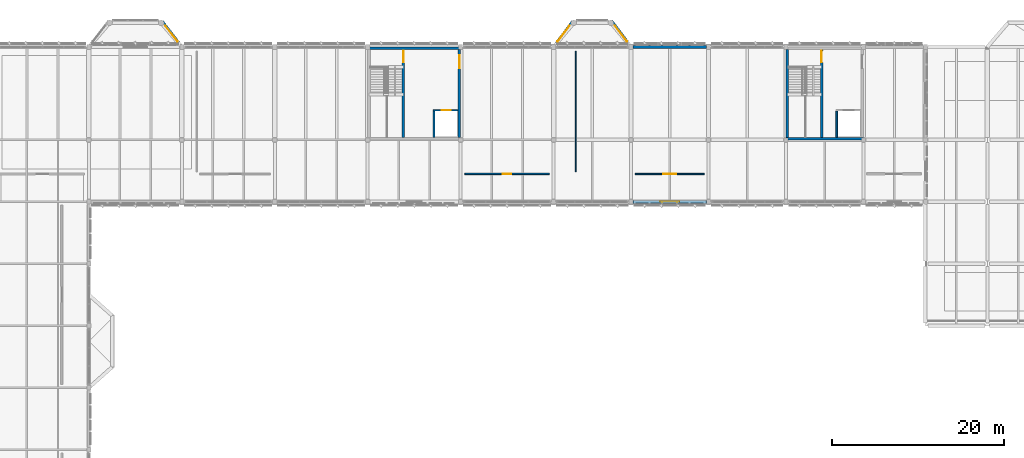
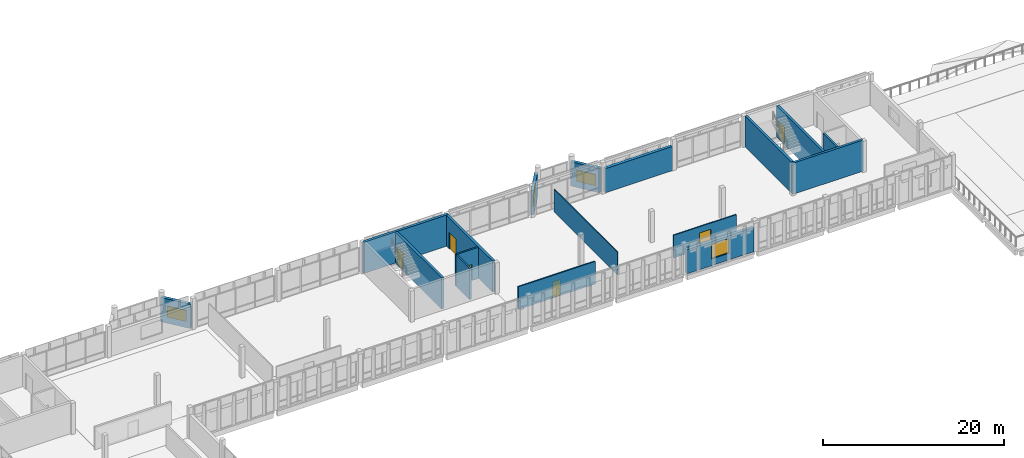
# One storey, part 58 of 72: 17 walls, 6 doors, 4 windows, 10 openings.
"""IFC4 building model written with IfcOpenShell, lengths in metres."""

from ifc_helpers import new_model, si_unit, direction, frame, frame_2d, origin, place, context, subcontext, project, spatial, rectangle, extrude, material, layer, layer_set, type_object, element, fill, save


model = new_model("IFC4")

# Units and contexts
model_context = context("Model", 3, precision=1e-05, world=origin(), true_north=direction((0.0, 1.0)))
body_context = subcontext(model_context, "Body", "Model", "MODEL_VIEW")
ifc_project = project(units=[si_unit("LENGTHUNIT", "METRE"), si_unit("AREAUNIT", "SQUARE_METRE"), si_unit("VOLUMEUNIT", "CUBIC_METRE"), si_unit("PLANEANGLEUNIT", "RADIAN"), si_unit("MASSUNIT", "GRAM", prefix="KILO")], contexts=[model_context])

# Site, building, storey
site_placement = place(None, origin())
site = spatial("IfcSite", under=ifc_project, at=site_placement, CompositionType="ELEMENT")
building_placement = place(site_placement, origin())
building = spatial("IfcBuilding", under=site, at=building_placement, Name="Lusvemor Sports Hall", CompositionType="ELEMENT")
storey_placement = place(building_placement, frame((0.0, 0.0, 15.0)))
storey = spatial("IfcBuildingStorey", under=building, at=storey_placement, Name="L03", CompositionType="ELEMENT", Elevation=15.0)

# Wall
ifc_material_1 = material(Name="Warm terracotta Art Nouveau ceramic cladding on Concrete C40/50 backing", Category="masonry")
ifc_layer_1 = layer(ifc_material_1, 0.3798828125)
ifc_layer_set_1 = layer_set([ifc_layer_1], Name="Warm terracotta Art Nouveau ceramic cladding on Concrete C40/50 backing")
wall_type_1 = type_object("IfcWallType", Name="EW_UPPER_250", PredefinedType="STANDARD", material=ifc_layer_set_1)
wall_1_placement = place(storey_placement, frame((84.8359375, 115.199951171875, 0.0), z_axis=(0.0, 0.0, 1.0), x_axis=(1.0, 0.0, 0.0)))
element("IfcWall", 1, at=wall_1_placement, inside=storey, type_object=wall_type_1, Name="Exterior Wall EW-L03-N-1-8", PredefinedType="STANDARD", context=body_context, shape_type="SweptSolid", body=[
    extrude(rectangle(XDim=8.528076171875, YDim=0.3798828125, at=frame_2d((4.26416015625, 0.0))), origin(), (0.0, 0.0, 1.0), 3.260009765625),
])

# Wall, opening, window
wall_2_placement = place(storey_placement, frame((93.364013671875, 97.199951171875, 0.0), z_axis=(0.0, 0.0, 1.0), x_axis=(-1.0, 0.0, 0.0)))
wall_2 = element("IfcWall", 2, at=wall_2_placement, inside=storey, type_object=wall_type_1, Name="Exterior Wall EW-L03-S-3-6", PredefinedType="STANDARD", context=body_context, shape_type="SweptSolid", body=[
    extrude(rectangle(XDim=8.528076171875, YDim=0.3798828125, at=frame_2d((4.26416015625, 0.0))), origin(), (0.0, 0.0, 1.0), 3.260009765625),
])
opening_1_placement = place(wall_2_placement, frame((3.154052734375, 0.0, 0.89990234375)))
opening_1 = element("IfcOpeningElement", 3, at=opening_1_placement, cuts=wall_2, Name="Opening WN28", PredefinedType="OPENING", context=body_context, shape_type="SweptSolid", body=[
    extrude(rectangle(XDim=2.219970703125, YDim=1.97998046875, at=frame_2d((1.10986328125, 0.989990234375))), frame((0.0, 0.18994140625, 0.0), z_axis=(0.0, -1.0, 0.0), x_axis=(1.0, 0.0, 0.0)), (0.0, 0.0, 1.0), 0.3798828125),
])
ifc_material_2 = material(Name="Solar-control laminated double glazing", Category="glass")
window_type_1 = type_object("IfcWindowType", Name="WIN_28", PartitioningType="SINGLE_PANEL", PredefinedType="WINDOW", material=ifc_material_2)
window_1_placement = place(opening_1_placement, origin())
window_1 = element("IfcWindow", 4, at=window_1_placement, inside=storey, type_object=window_type_1, Name="Wing Window L03-S-3-6", OverallHeight=1.97998046875, OverallWidth=2.219970703125, PartitioningType="SINGLE_PANEL", PredefinedType="WINDOW", context=body_context, shape_type="SweptSolid", body=[
    extrude(rectangle(XDim=2.219970703125, YDim=1.97998046875, at=frame_2d((1.10986328125, 0.989990234375))), frame((0.0, 0.030029296875, 0.0), z_axis=(0.0, -1.0, 0.0), x_axis=(1.0, 0.0, 0.0)), (0.0, 0.0, 1.0), 0.06005859375),
])
fill(opening_1, window_1)

ifc_material_3 = material(Name="Emerald polychrome glazed ceramic cladding on Concrete C40/50 backing", Category="concrete")
ifc_layer_2 = layer(ifc_material_3, 0.364990234375)
ifc_layer_set_2 = layer_set([ifc_layer_2], Name="Emerald polychrome glazed ceramic cladding on Concrete C40/50 backing")
wall_type_2 = type_object("IfcWallType", Name="EW_WAVE_CER_365", PredefinedType="STANDARD", material=ifc_layer_set_2)
wall_3_placement = place(storey_placement, frame((30.073486328125, 118.205078125, 0.0), z_axis=(0.0, 0.0, 1.0), x_axis=(0.612206385164, -0.790698009334, 0.0)))
wall_3 = element("IfcWall", 5, at=wall_3_placement, inside=storey, type_object=wall_type_2, Name="Art Nouveau Bow Wall EW-BOW-N1-L03-3", PredefinedType="STANDARD", context=body_context, shape_type="SweptSolid", body=[
    extrude(rectangle(XDim=3.560302734375, YDim=0.364990234375, at=frame_2d((1.7802734375, 0.0))), origin(), (0.0, 0.0, 1.0), 3.280029296875),
])
opening_2_placement = place(wall_3_placement, frame((0.679931640625, 0.0, 0.699951171875)))
opening_2 = element("IfcOpeningElement", 6, at=opening_2_placement, cuts=wall_3, Name="Opening WN21", PredefinedType="OPENING", context=body_context, shape_type="SweptSolid", body=[
    extrude(rectangle(XDim=2.320068359375, YDim=1.52001953125, at=frame_2d((1.16015625, 0.760009765625))), frame((0.0, 0.1826171875, 0.0), z_axis=(0.0, -1.0, 0.0), x_axis=(1.0, 0.0, 0.0)), (0.0, 0.0, 1.0), 0.364990234375),
])
ifc_material_4 = material(Name="Solar-control laminated double glazing", Category="glass")
window_type_2 = type_object("IfcWindowType", Name="WIN_21", PartitioningType="SINGLE_PANEL", PredefinedType="WINDOW", material=ifc_material_4)
window_2_placement = place(opening_2_placement, origin())
window_2 = element("IfcWindow", 7, at=window_2_placement, inside=storey, type_object=window_type_2, Name="Art Nouveau Bow Window BOW-N1 L03-3", OverallHeight=1.52001953125, OverallWidth=2.320068359375, PartitioningType="SINGLE_PANEL", PredefinedType="WINDOW", context=body_context, shape_type="SweptSolid", body=[
    extrude(rectangle(XDim=2.320068359375, YDim=1.52001953125, at=frame_2d((1.16015625, 0.760009765625))), frame((0.0, 0.030029296875, 0.0), z_axis=(0.0, -1.0, 0.0), x_axis=(1.0, 0.0, 0.0)), (0.0, 0.0, 1.0), 0.06005859375),
])
fill(opening_2, window_2)

wall_4_placement = place(storey_placement, frame((75.74462890625, 115.3916015625, 0.0), z_axis=(0.0, 0.0, 1.0), x_axis=(0.60248019286, 0.798133834148, 0.0)))
wall_4 = element("IfcWall", 8, at=wall_4_placement, inside=storey, type_object=wall_type_2, Name="Art Nouveau Bow Wall EW-BOW-N2-L03-1", PredefinedType="STANDARD", context=body_context, shape_type="SweptSolid", body=[
    extrude(rectangle(XDim=3.52392578125, YDim=0.364990234375, at=frame_2d((1.761962890625, 0.0))), origin(), (0.0, 0.0, 1.0), 3.280029296875),
])
opening_3_placement = place(wall_4_placement, frame((0.5419921875, 0.0, 0.699951171875)))
opening_3 = element("IfcOpeningElement", 9, at=opening_3_placement, cuts=wall_4, Name="Opening WN21", PredefinedType="OPENING", context=body_context, shape_type="SweptSolid", body=[
    extrude(rectangle(XDim=2.320068359375, YDim=1.52001953125, at=frame_2d((1.16015625, 0.760009765625))), frame((0.0, 0.1826171875, 0.0), z_axis=(0.0, -1.0, 0.0), x_axis=(1.0, 0.0, 0.0)), (0.0, 0.0, 1.0), 0.364990234375),
])
window_3_placement = place(opening_3_placement, origin())
window_3 = element("IfcWindow", 10, at=window_3_placement, inside=storey, type_object=window_type_2, Name="Art Nouveau Bow Window BOW-N2 L03-1", OverallHeight=1.52001953125, OverallWidth=2.320068359375, PartitioningType="SINGLE_PANEL", PredefinedType="WINDOW", context=body_context, shape_type="SweptSolid", body=[
    extrude(rectangle(XDim=2.320068359375, YDim=1.52001953125, at=frame_2d((1.16015625, 0.760009765625))), frame((0.0, 0.030029296875, 0.0), z_axis=(0.0, -1.0, 0.0), x_axis=(1.0, 0.0, 0.0)), (0.0, 0.0, 1.0), 0.06005859375),
])
fill(opening_3, window_3)

wall_5_placement = place(storey_placement, frame((82.332275390625, 118.2041015625, 0.0), z_axis=(0.0, 0.0, 1.0), x_axis=(0.60248019286, -0.798133834148, 0.0)))
wall_5 = element("IfcWall", 11, at=wall_5_placement, inside=storey, type_object=wall_type_2, Name="Art Nouveau Bow Wall EW-BOW-N2-L03-3", PredefinedType="STANDARD", context=body_context, shape_type="SweptSolid", body=[
    extrude(rectangle(XDim=3.52392578125, YDim=0.364990234375, at=frame_2d((1.761962890625, 0.0))), origin(), (0.0, 0.0, 1.0), 3.280029296875),
])
opening_4_placement = place(wall_5_placement, frame((0.662109375, 0.0, 0.699951171875)))
opening_4 = element("IfcOpeningElement", 12, at=opening_4_placement, cuts=wall_5, Name="Opening WN21", PredefinedType="OPENING", context=body_context, shape_type="SweptSolid", body=[
    extrude(rectangle(XDim=2.320068359375, YDim=1.52001953125, at=frame_2d((1.16015625, 0.760009765625))), frame((0.0, 0.1826171875, 0.0), z_axis=(0.0, -1.0, 0.0), x_axis=(1.0, 0.0, 0.0)), (0.0, 0.0, 1.0), 0.364990234375),
])
window_4_placement = place(opening_4_placement, origin())
window_4 = element("IfcWindow", 13, at=window_4_placement, inside=storey, type_object=window_type_2, Name="Art Nouveau Bow Window BOW-N2 L03-3", OverallHeight=1.52001953125, OverallWidth=2.320068359375, PartitioningType="SINGLE_PANEL", PredefinedType="WINDOW", context=body_context, shape_type="SweptSolid", body=[
    extrude(rectangle(XDim=2.320068359375, YDim=1.52001953125, at=frame_2d((1.16015625, 0.760009765625))), frame((0.0, 0.030029296875, 0.0), z_axis=(0.0, -1.0, 0.0), x_axis=(1.0, 0.0, 0.0)), (0.0, 0.0, 1.0), 0.06005859375),
])
fill(opening_4, window_4)

# Wall
ifc_material_5 = material(Name="Double-leaf acoustic gypsum board on metal studs")
ifc_layer_3 = layer(ifc_material_5, 0.1201171875)
ifc_layer_set_3 = layer_set([ifc_layer_3], Name="Double-leaf acoustic gypsum board on metal studs")
wall_type_3 = type_object("IfcWallType", Name="IW_PART_124", PredefinedType="STANDARD", material=ifc_layer_set_3)
wall_6_placement = place(storey_placement, frame((78.14990234375, 100.699951171875, 0.0), z_axis=(0.0, 0.0, 1.0), x_axis=(0.0, 1.0, 0.0)))
element("IfcWall", 14, at=wall_6_placement, inside=storey, type_object=wall_type_3, Name="Partition IW-L03-CNNDIV-78", PredefinedType="STANDARD", context=body_context, shape_type="SweptSolid", body=[
    extrude(rectangle(XDim=14.0, YDim=0.1201171875, at=frame_2d((7.0, 0.0))), origin(), (0.0, 0.0, 1.0), 3.06005859375),
])

# Wall, opening, door
ifc_material_6 = material(Name="Double-leaf acoustic gypsum board on metal studs")
ifc_layer_4 = layer(ifc_material_6, 0.139892578125)
ifc_layer_set_4 = layer_set([ifc_layer_4], Name="Double-leaf acoustic gypsum board on metal studs")
wall_type_4 = type_object("IfcWallType", Name="IW_PART_138", PredefinedType="STANDARD", material=ifc_layer_set_4)
wall_7_placement = place(storey_placement, frame((85.10009765625, 100.449951171875, 0.0), z_axis=(0.0, 0.0, 1.0), x_axis=(1.0, 0.0, 0.0)))
wall_7 = element("IfcWall", 15, at=wall_7_placement, inside=storey, type_object=wall_type_4, Name="Partition IW-L03-CNN-LNGETRK", PredefinedType="STANDARD", context=body_context, shape_type="SweptSolid", body=[
    extrude(rectangle(XDim=8.0, YDim=0.139892578125, at=frame_2d((4.0, 0.0))), origin(), (0.0, 0.0, 1.0), 3.06005859375),
])
opening_5_placement = place(wall_7_placement, frame((3.260009765625, 0.0, 0.0)))
opening_5 = element("IfcOpeningElement", 16, at=opening_5_placement, cuts=wall_7, Name="Opening ID23", PredefinedType="OPENING", context=body_context, shape_type="SweptSolid", body=[
    extrude(rectangle(XDim=1.47998046875, YDim=2.219970703125, at=frame_2d((0.739990234375, 1.10986328125))), frame((0.0, 0.06982421875, 0.0), z_axis=(0.0, -1.0, 0.0), x_axis=(1.0, 0.0, 0.0)), (0.0, 0.0, 1.0), 0.139892578125),
])
ifc_material_7 = material(Name="Acoustic solid-core hardwood door leaf in steel frame", Category="steel")
door_type_1 = type_object("IfcDoorType", Name="IDR_LNGE_148", OperationType="NOTDEFINED", PredefinedType="DOOR", material=ifc_material_7)
door_1_placement = place(opening_5_placement, origin())
door_1 = element("IfcDoor", 17, at=door_1_placement, inside=storey, type_object=door_type_1, Name="DR-203", OperationType="SINGLE_SWING_LEFT", OverallHeight=2.219970703125, OverallWidth=1.47998046875, PredefinedType="DOOR", context=body_context, shape_type="SweptSolid", body=[
    extrude(rectangle(XDim=1.47998046875, YDim=2.219970703125, at=frame_2d((0.739990234375, 1.10986328125))), frame((0.0, 0.02490234375, 0.0), z_axis=(0.0, -1.0, 0.0), x_axis=(1.0, 0.0, 0.0)), (0.0, 0.0, 1.0), 0.050048828125),
])
fill(opening_5, door_1)

ifc_material_8 = material(Name="Concrete C40/50", Category="concrete")
ifc_layer_5 = layer(ifc_material_8, 0.2099609375)
ifc_layer_set_5 = layer_set([ifc_layer_5], Name="Concrete C40/50")
wall_type_5 = type_object("IfcWallType", Name="IW_SHFT_212", PredefinedType="STANDARD", material=ifc_layer_set_5)
wall_8_placement = place(storey_placement, frame((61.590087890625, 107.85009765625, 0.0), z_axis=(0.0, 0.0, 1.0), x_axis=(1.0, 0.0, 0.0)))
wall_8 = element("IfcWall", 18, at=wall_8_placement, inside=storey, type_object=wall_type_5, Name="Lift LP-01 Shaft Front Wall (L03)", PredefinedType="STANDARD", context=body_context, shape_type="SweptSolid", body=[
    extrude(rectangle(XDim=2.909912109375, YDim=0.2099609375, at=frame_2d((1.455078125, 0.0))), origin(), (0.0, 0.0, 1.0), 4.199951171875),
])
opening_6_placement = place(wall_8_placement, frame((0.989990234375, 0.0, 0.0)))
opening_6 = element("IfcOpeningElement", 19, at=opening_6_placement, cuts=wall_8, Name="Opening LD-02", PredefinedType="OPENING", context=body_context, shape_type="SweptSolid", body=[
    extrude(rectangle(XDim=1.0400390625, YDim=2.159912109375, at=frame_2d((0.52001953125, 1.080078125))), frame((0.0, 0.10498046875, 0.0), z_axis=(0.0, -1.0, 0.0), x_axis=(1.0, 0.0, 0.0)), (0.0, 0.0, 1.0), 0.2099609375),
])
ifc_material_9 = material(Name="Brushed stainless-steel sliding lift landing door", Category="steel")
door_type_2 = type_object("IfcDoorType", Name="LIFT_DOOR_PAX_104", OperationType="NOTDEFINED", PredefinedType="DOOR", material=ifc_material_9)
door_2_placement = place(opening_6_placement, origin())
door_2 = element("IfcDoor", 20, at=door_2_placement, inside=storey, type_object=door_type_2, Name="DR-055", OperationType="SLIDING_TO_LEFT", OverallHeight=2.159912109375, OverallWidth=1.0400390625, PredefinedType="DOOR", context=body_context, shape_type="SweptSolid", body=[
    extrude(rectangle(XDim=1.0400390625, YDim=2.159912109375, at=frame_2d((0.52001953125, 1.080078125))), frame((0.0, 0.02490234375, 0.0), z_axis=(0.0, -1.0, 0.0), x_axis=(1.0, 0.0, 0.0)), (0.0, 0.0, 1.0), 0.050048828125),
])
fill(opening_6, door_2)

# Walls
for number, where, z_axis, x_axis, name in (
    (21, (61.695068359375, 104.699951171875, 0.0), (0.0, 0.0, 1.0), (0.0, 1.0, 0.0), "Lift LP-01 Shaft Side Wall (L03)"),
    (22, (108.4951171875, 104.699951171875, 0.0), (0.0, 0.0, 1.0), (0.0, 1.0, 0.0), "Lift LF-02 Shaft Side Wall (L03)"),
):
    element("IfcWall", number, at=place(storey_placement, frame(where, z_axis=z_axis, x_axis=x_axis)), inside=storey, type_object=wall_type_5, Name=name, PredefinedType="STANDARD", context=body_context, shape_type="SweptSolid", body=[
        extrude(rectangle(XDim=3.045166015625, YDim=0.2099609375, at=frame_2d((1.5224609375, 0.0))), origin(), (0.0, 0.0, 1.0), 4.199951171875),
    ])

# Wall, opening, door
ifc_material_10 = material(Name="Moisture-resistant tiled plumbing service wall")
ifc_layer_6 = layer(ifc_material_10, 0.159912109375)
ifc_layer_set_6 = layer_set([ifc_layer_6], Name="Moisture-resistant tiled plumbing service wall")
wall_type_6 = type_object("IfcWallType", Name="PW_WET_160", PredefinedType="PLUMBINGWALL", material=ifc_layer_set_6)
wall_9_placement = place(storey_placement, frame((65.300048828125, 100.449951171875, 0.0), z_axis=(0.0, 0.0, 1.0), x_axis=(1.0, 0.0, 0.0)))
wall_9 = element("IfcWall", 23, at=wall_9_placement, inside=storey, type_object=wall_type_6, Name="Partition IW-L03-CNN-AWCN", PredefinedType="PLUMBINGWALL", context=body_context, shape_type="SweptSolid", body=[
    extrude(rectangle(XDim=9.800048828125, YDim=0.159912109375, at=frame_2d((4.89990234375, 0.0))), origin(), (0.0, 0.0, 1.0), 3.06005859375),
])
opening_7_placement = place(wall_9_placement, frame((4.39990234375, 0.0, 0.0)))
opening_7 = element("IfcOpeningElement", 24, at=opening_7_placement, cuts=wall_9, Name="Opening ID11", PredefinedType="OPENING", context=body_context, shape_type="SweptSolid", body=[
    extrude(rectangle(XDim=1.0, YDim=2.14990234375, at=frame_2d((0.5, 1.074951171875))), frame((0.0, 0.080078125, 0.0), z_axis=(0.0, -1.0, 0.0), x_axis=(1.0, 0.0, 0.0)), (0.0, 0.0, 1.0), 0.159912109375),
])
ifc_material_11 = material(Name="Acoustic solid-core hardwood door leaf in steel frame", Category="steel")
door_type_3 = type_object("IfcDoorType", Name="IDR_AWC_100", OperationType="NOTDEFINED", PredefinedType="DOOR", material=ifc_material_11)
door_3_placement = place(opening_7_placement, origin())
door_3 = element("IfcDoor", 25, at=door_3_placement, inside=storey, type_object=door_type_3, Name="DR-202", OperationType="SINGLE_SWING_RIGHT", OverallHeight=2.14990234375, OverallWidth=1.0, PredefinedType="DOOR", context=body_context, shape_type="SweptSolid", body=[
    extrude(rectangle(XDim=1.0, YDim=2.14990234375, at=frame_2d((0.5, 1.074951171875))), frame((0.0, 0.02490234375, 0.0), z_axis=(0.0, -1.0, 0.0), x_axis=(1.0, 0.0, 0.0)), (0.0, 0.0, 1.0), 0.050048828125),
])
fill(opening_7, door_3)

ifc_material_12 = material(Name="Concrete C40/50", Category="concrete")
ifc_layer_7 = layer(ifc_material_12, 0.300048828125)
ifc_layer_set_7 = layer_set([ifc_layer_7], Name="Concrete C40/50")
wall_type_7 = type_object("IfcWallType", Name="WALL_CORE_300_INT", PredefinedType="SHEAR", material=ifc_layer_set_7)
wall_10_placement = place(storey_placement, frame((64.64990234375, 114.89990234375, 0.0), z_axis=(0.0, 0.0, 1.0), x_axis=(0.0, -1.0, 0.0)))
wall_10 = element("IfcWall", 26, at=wall_10_placement, inside=storey, type_object=wall_type_7, Name="Core C2 North-West-Mid Shear Wall E (L03)", PredefinedType="SHEAR", context=body_context, shape_type="SweptSolid", body=[
    extrude(rectangle(XDim=10.199951171875, YDim=0.300048828125, at=frame_2d((5.10009765625, 0.0))), origin(), (0.0, 0.0, 1.0), 4.199951171875),
])
opening_8_placement = place(wall_10_placement, frame((0.64990234375, 0.0, 0.0)))
opening_8 = element("IfcOpeningElement", 27, at=opening_8_placement, cuts=wall_10, Name="Opening DR-FD60-01", PredefinedType="OPENING", context=body_context, shape_type="SweptSolid", body=[
    extrude(rectangle(XDim=1.5400390625, YDim=2.219970703125, at=frame_2d((0.77001953125, 1.10986328125))), frame((0.0, 0.14990234375, 0.0), z_axis=(0.0, -1.0, 0.0), x_axis=(1.0, 0.0, 0.0)), (0.0, 0.0, 1.0), 0.300048828125),
])
ifc_material_13 = material(Name="Fire-rated insulated painted steel door assembly", Category="steel")
door_type_4 = type_object("IfcDoorType", Name="IDR_LOBBY_FD60_154", OperationType="NOTDEFINED", PredefinedType="DOOR", material=ifc_material_13)
door_4_placement = place(opening_8_placement, origin())
door_4 = element("IfcDoor", 28, at=door_4_placement, inside=storey, type_object=door_type_4, Name="DR-064", OperationType="SINGLE_SWING_RIGHT", OverallHeight=2.219970703125, OverallWidth=1.5400390625, PredefinedType="DOOR", context=body_context, shape_type="SweptSolid", body=[
    extrude(rectangle(XDim=1.5400390625, YDim=2.219970703125, at=frame_2d((0.77001953125, 1.10986328125))), frame((0.0, 0.02490234375, 0.0), z_axis=(0.0, -1.0, 0.0), x_axis=(1.0, 0.0, 0.0)), (0.0, 0.0, 1.0), 0.050048828125),
])
fill(opening_8, door_4)

wall_11_placement = place(storey_placement, frame((58.14990234375, 104.699951171875, 0.0), z_axis=(0.0, 0.0, 1.0), x_axis=(0.0, 1.0, 0.0)))
wall_11 = element("IfcWall", 29, at=wall_11_placement, inside=storey, type_object=wall_type_7, Name="Core C2 North-West-Mid Shear Wall M (L03)", PredefinedType="SHEAR", context=body_context, shape_type="SweptSolid", body=[
    extrude(rectangle(XDim=10.199951171875, YDim=0.300048828125, at=frame_2d((5.10009765625, 0.0))), origin(), (0.0, 0.0, 1.0), 4.199951171875),
])
opening_9_placement = place(wall_11_placement, frame((8.7099609375, 0.0, 0.0)))
opening_9 = element("IfcOpeningElement", 30, at=opening_9_placement, cuts=wall_11, Name="Opening DR-FD90-02", PredefinedType="OPENING", context=body_context, shape_type="SweptSolid", body=[
    extrude(rectangle(XDim=1.340087890625, YDim=2.179931640625, at=frame_2d((0.669921875, 1.08984375))), frame((0.0, 0.14990234375, 0.0), z_axis=(0.0, -1.0, 0.0), x_axis=(1.0, 0.0, 0.0)), (0.0, 0.0, 1.0), 0.300048828125),
])
ifc_material_14 = material(Name="Fire-rated insulated painted steel door assembly", Category="steel")
door_type_5 = type_object("IfcDoorType", Name="IDR_STAIR_FD90_134", OperationType="NOTDEFINED", PredefinedType="DOOR", material=ifc_material_14)
door_5_placement = place(opening_9_placement, origin())
door_5 = element("IfcDoor", 31, at=door_5_placement, inside=storey, type_object=door_type_5, Name="DR-063", OperationType="SINGLE_SWING_LEFT", OverallHeight=2.179931640625, OverallWidth=1.340087890625, PredefinedType="DOOR", context=body_context, shape_type="SweptSolid", body=[
    extrude(rectangle(XDim=1.340087890625, YDim=2.179931640625, at=frame_2d((0.669921875, 1.08984375))), frame((0.0, 0.02490234375, 0.0), z_axis=(0.0, -1.0, 0.0), x_axis=(1.0, 0.0, 0.0)), (0.0, 0.0, 1.0), 0.050048828125),
])
fill(opening_9, door_5)

# Walls
wall_12_placement = place(storey_placement, frame((111.60009765625, 104.550048828125, 0.0), z_axis=(0.0, 0.0, 1.0), x_axis=(-1.0, 0.0, 0.0)))
element("IfcWall", 32, at=wall_12_placement, inside=storey, type_object=wall_type_7, Name="Core C4 North-Central Shear Wall S (L03)", PredefinedType="SHEAR", context=body_context, shape_type="SweptSolid", body=[
    extrude(rectangle(XDim=9.0, YDim=0.300048828125, at=frame_2d((4.5, 0.0))), origin(), (0.0, 0.0, 1.0), 4.199951171875),
])
wall_13_placement = place(storey_placement, frame((102.75, 104.699951171875, 0.0), z_axis=(0.0, 0.0, 1.0), x_axis=(0.0, 1.0, 0.0)))
element("IfcWall", 33, at=wall_13_placement, inside=storey, type_object=wall_type_7, Name="Core C4 North-Central Shear Wall W (L03)", PredefinedType="SHEAR", context=body_context, shape_type="SweptSolid", body=[
    extrude(rectangle(XDim=10.199951171875, YDim=0.300048828125, at=frame_2d((5.10009765625, 0.0))), origin(), (0.0, 0.0, 1.0), 4.199951171875),
])

# Wall, opening, door
wall_14_placement = place(storey_placement, frame((106.75, 104.699951171875, 0.0), z_axis=(0.0, 0.0, 1.0), x_axis=(0.0, 1.0, 0.0)))
wall_14 = element("IfcWall", 34, at=wall_14_placement, inside=storey, type_object=wall_type_7, Name="Core C4 North-Central Shear Wall M (L03)", PredefinedType="SHEAR", context=body_context, shape_type="SweptSolid", body=[
    extrude(rectangle(XDim=10.199951171875, YDim=0.300048828125, at=frame_2d((5.10009765625, 0.0))), origin(), (0.0, 0.0, 1.0), 4.199951171875),
])
opening_10_placement = place(wall_14_placement, frame((8.7099609375, 0.0, 0.0)))
opening_10 = element("IfcOpeningElement", 35, at=opening_10_placement, cuts=wall_14, Name="Opening DR-FD90-02", PredefinedType="OPENING", context=body_context, shape_type="SweptSolid", body=[
    extrude(rectangle(XDim=1.340087890625, YDim=2.179931640625, at=frame_2d((0.669921875, 1.08984375))), frame((0.0, 0.14990234375, 0.0), z_axis=(0.0, -1.0, 0.0), x_axis=(1.0, 0.0, 0.0)), (0.0, 0.0, 1.0), 0.300048828125),
])
door_6_placement = place(opening_10_placement, origin())
door_6 = element("IfcDoor", 36, at=door_6_placement, inside=storey, type_object=door_type_5, Name="DR-094", OperationType="SINGLE_SWING_RIGHT", OverallHeight=2.179931640625, OverallWidth=1.340087890625, PredefinedType="DOOR", context=body_context, shape_type="SweptSolid", body=[
    extrude(rectangle(XDim=1.340087890625, YDim=2.179931640625, at=frame_2d((0.669921875, 1.08984375))), frame((0.0, 0.02490234375, 0.0), z_axis=(0.0, -1.0, 0.0), x_axis=(1.0, 0.0, 0.0)), (0.0, 0.0, 1.0), 0.050048828125),
])
fill(opening_10, door_6)

# Wall
ifc_material_15 = material(Name="Concrete C40/50", Category="concrete")
ifc_layer_8 = layer(ifc_material_15, 0.324951171875)
ifc_layer_set_8 = layer_set([ifc_layer_8], Name="Concrete C40/50")
wall_type_8 = type_object("IfcWallType", Name="WALL_CORE_325_EXT", PredefinedType="SHEAR", material=ifc_layer_set_8)
wall_15_placement = place(storey_placement, frame((54.0, 115.050048828125, 0.0), z_axis=(0.0, 0.0, 1.0), x_axis=(1.0, 0.0, 0.0)))
element("IfcWall", 37, at=wall_15_placement, inside=storey, type_object=wall_type_8, Name="Core C2 North-West-Mid Shear Wall N (L03)", PredefinedType="SHEAR", context=body_context, shape_type="SweptSolid", body=[
    extrude(rectangle(XDim=10.800048828125, YDim=0.324951171875, at=frame_2d((5.39990234375, 0.0))), origin(), (0.0, 0.0, 1.0), 4.199951171875),
])

save(model, "model.ifc")
